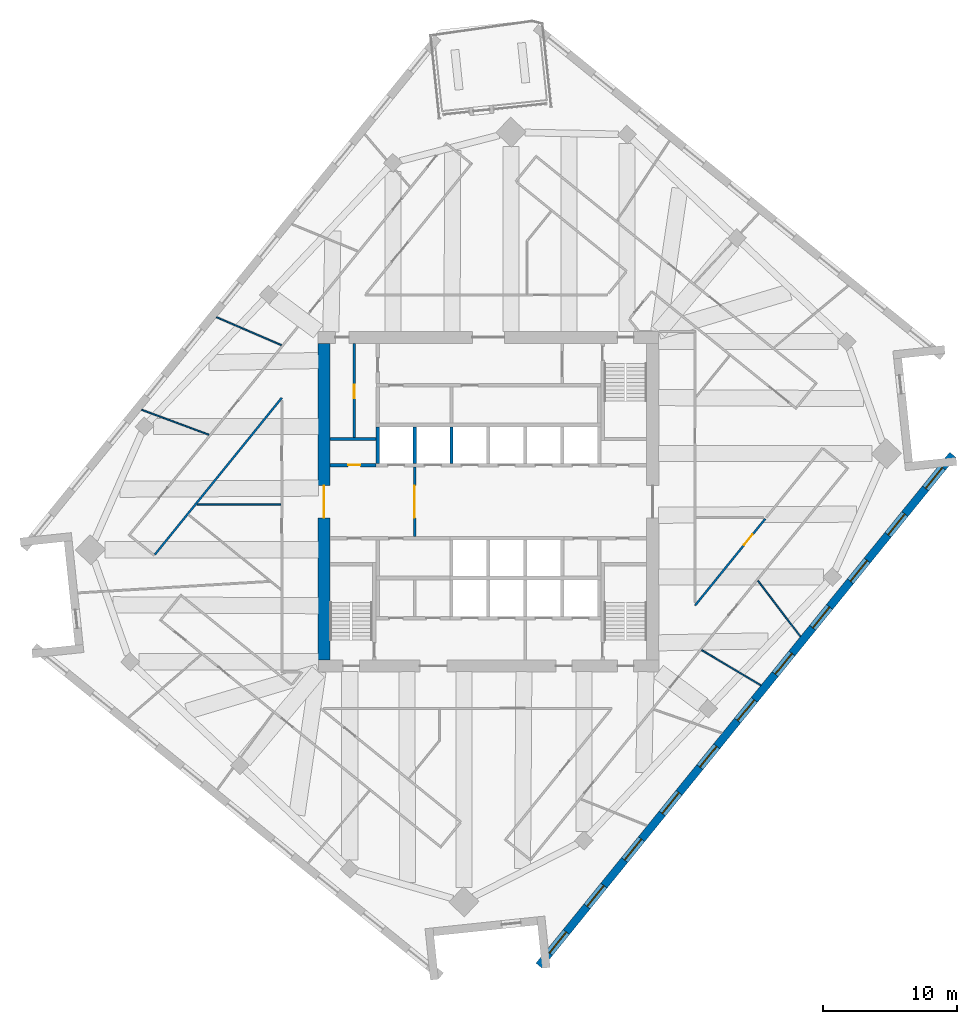
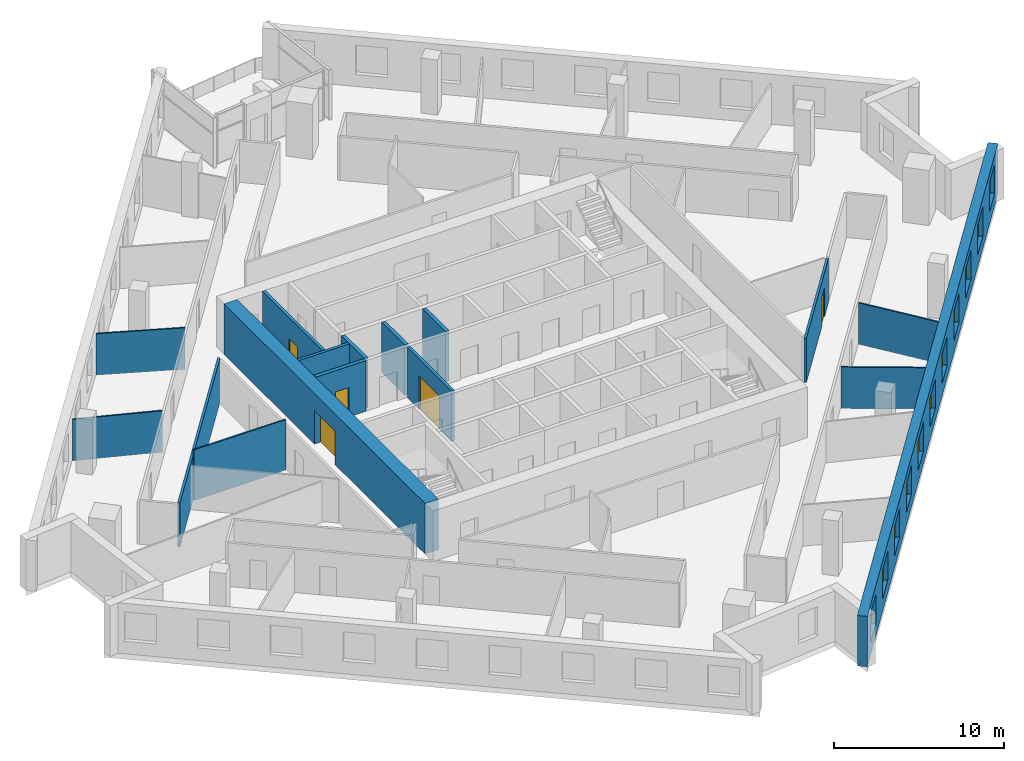
# One storey, part 9 of 14: 16 walls, 11 windows, 5 doors, 16 openings.
"""IFC4 building model written with IfcOpenShell, lengths in metres."""

from ifc_helpers import new_model, si_unit, direction, frame, frame_2d, origin, place, context, subcontext, project, spatial, rectangle, extrude, material, layer, layer_set, type_object, element, fill, save


model = new_model("IFC4")

# Units and contexts
model_context = context("Model", 3, precision=1e-05, world=origin(), true_north=direction((0.0, 1.0)))
body_context = subcontext(model_context, "Body", "Model", "MODEL_VIEW")
ifc_project = project(units=[si_unit("LENGTHUNIT", "METRE"), si_unit("AREAUNIT", "SQUARE_METRE"), si_unit("VOLUMEUNIT", "CUBIC_METRE"), si_unit("PLANEANGLEUNIT", "RADIAN"), si_unit("MASSUNIT", "GRAM", prefix="KILO")], contexts=[model_context])

# Site, building, storey
site_placement = place(None, origin())
site = spatial("IfcSite", under=ifc_project, at=site_placement, CompositionType="ELEMENT")
building_placement = place(site_placement, origin())
building = spatial("IfcBuilding", under=site, at=building_placement, Name="Dilmun Exchange Tower", CompositionType="ELEMENT")
storey_placement = place(building_placement, frame((0.0, 0.0, 225.300048828125)))
storey = spatial("IfcBuildingStorey", under=building, at=storey_placement, Name="L53", CompositionType="ELEMENT", Elevation=225.300048828125)

# Wall, opening, door
ifc_material_1 = material(Name="Concrete C40/50", Category="concrete")
ifc_layer_1 = layer(ifc_material_1, 0.199951171875)
ifc_layer_set_1 = layer_set([ifc_layer_1], Name="Concrete C40/50")
wall_type_1 = type_object("IfcWallType", Name="Core partition wall 200", PredefinedType="PARTITIONING", material=ifc_layer_set_1)
wall_1_placement = place(storey_placement, frame((-5.5, -2.594970703125, 0.0), z_axis=(0.0, 0.0, 1.0), x_axis=(0.0, 1.0, 0.0)))
wall_1 = element("IfcWall", 1, at=wall_1_placement, inside=storey, type_object=wall_type_1, Name="L53 core partition wall 10", PredefinedType="PARTITIONING", context=body_context, shape_type="SweptSolid", body=[
    extrude(rectangle(XDim=5.18994140625, YDim=0.199951171875, at=frame_2d((2.594970703125, 0.0))), origin(), (0.0, 0.0, 1.0), 3.619873046875),
])
opening_1_placement = place(wall_1_placement, frame((1.39501953125, 0.0, 0.0)))
opening_1 = element("IfcOpeningElement", 2, at=opening_1_placement, cuts=wall_1, Name="Opening CD1", PredefinedType="OPENING", context=body_context, shape_type="SweptSolid", body=[
    extrude(rectangle(XDim=2.39990234375, YDim=2.39990234375, at=frame_2d((1.199951171875, 1.199951171875))), frame((0.0, 0.10986328125, 0.0), z_axis=(0.0, -1.0, 0.0), x_axis=(1.0, 0.0, 0.0)), (0.0, 0.0, 1.0), 0.219970703125),
])
ifc_material_2 = material(Name="Fire-rated steel door set", Category="steel")
door_type_1 = type_object("IfcDoorType", Name="Core lobby door 2400x2400", OperationType="DOUBLE_DOOR_DOUBLE_SWING", PredefinedType="DOOR", material=ifc_material_2)
door_1_placement = place(opening_1_placement, origin())
door_1 = element("IfcDoor", 3, at=door_1_placement, inside=storey, type_object=door_type_1, Name="L53 door Lift lobby east", OperationType="DOUBLE_DOOR_DOUBLE_SWING", OverallHeight=2.39990234375, OverallWidth=2.39990234375, PredefinedType="DOOR", context=body_context, shape_type="SweptSolid", body=[
    extrude(rectangle(XDim=2.39990234375, YDim=2.39990234375, at=frame_2d((1.199951171875, 1.199951171875))), frame((0.0, 0.02490234375, 0.0), z_axis=(0.0, -1.0, 0.0), x_axis=(1.0, 0.0, 0.0)), (0.0, 0.0, 1.0), 0.050048828125),
])
fill(opening_1, door_1)

# Wall
wall_2_placement = place(storey_placement, frame((-11.794921875, 4.675048828125, 0.0), z_axis=(0.0, 0.0, 1.0), x_axis=(1.0, 0.0, 0.0)))
element("IfcWall", 4, at=wall_2_placement, inside=storey, type_object=wall_type_1, Name="L53 core partition wall 13", PredefinedType="PARTITIONING", context=body_context, shape_type="SweptSolid", body=[
    extrude(rectangle(XDim=3.4150390625, YDim=0.199951171875, at=frame_2d((1.70751953125, 0.0))), origin(), (0.0, 0.0, 1.0), 3.619873046875),
])

# Wall, opening, door
wall_3_placement = place(storey_placement, frame((-10.0, 4.780029296875, 0.0), z_axis=(0.0, 0.0, 1.0), x_axis=(0.0, 1.0, 0.0)))
wall_3 = element("IfcWall", 5, at=wall_3_placement, inside=storey, type_object=wall_type_1, Name="L53 core partition wall 14", PredefinedType="PARTITIONING", context=body_context, shape_type="SweptSolid", body=[
    extrude(rectangle(XDim=7.014892578125, YDim=0.199951171875, at=frame_2d((3.50732421875, 0.0))), origin(), (0.0, 0.0, 1.0), 3.619873046875),
])
opening_2_placement = place(wall_3_placement, frame((2.919921875, 0.0, 0.0)))
opening_2 = element("IfcOpeningElement", 6, at=opening_2_placement, cuts=wall_3, Name="Opening CD4", PredefinedType="OPENING", context=body_context, shape_type="SweptSolid", body=[
    extrude(rectangle(XDim=1.0, YDim=2.10009765625, at=frame_2d((0.5, 1.050048828125))), frame((0.0, 0.10986328125, 0.0), z_axis=(0.0, -1.0, 0.0), x_axis=(1.0, 0.0, 0.0)), (0.0, 0.0, 1.0), 0.219970703125),
])
door_type_2 = type_object("IfcDoorType", Name="Core room door 1000x2100", OperationType="SINGLE_SWING_LEFT", PredefinedType="DOOR", material=ifc_material_2)
door_2_placement = place(opening_2_placement, origin())
door_2 = element("IfcDoor", 7, at=door_2_placement, inside=storey, type_object=door_type_2, Name="L53 door Comms room", OperationType="SINGLE_SWING_RIGHT", OverallHeight=2.10009765625, OverallWidth=1.0, PredefinedType="DOOR", context=body_context, shape_type="SweptSolid", body=[
    extrude(rectangle(XDim=1.0, YDim=2.10009765625, at=frame_2d((0.5, 1.050048828125))), frame((0.0, 0.02490234375, 0.0), z_axis=(0.0, -1.0, 0.0), x_axis=(1.0, 0.0, 0.0)), (0.0, 0.0, 1.0), 0.050048828125),
])
fill(opening_2, door_2)

ifc_layer_2 = layer(ifc_material_1, 0.25)
ifc_layer_set_2 = layer_set([ifc_layer_2], Name="Concrete C40/50")
wall_type_2 = type_object("IfcWallType", Name="Core partition wall 250", PredefinedType="PARTITIONING", material=ifc_layer_set_2)
wall_4_placement = place(storey_placement, frame((-11.794921875, 2.72509765625, 0.0), z_axis=(0.0, 0.0, 1.0), x_axis=(1.0, 0.0, 0.0)))
wall_4 = element("IfcWall", 8, at=wall_4_placement, inside=storey, type_object=wall_type_2, Name="L53 core partition wall 11", PredefinedType="PARTITIONING", context=body_context, shape_type="SweptSolid", body=[
    extrude(rectangle(XDim=3.4150390625, YDim=0.25, at=frame_2d((1.70751953125, 0.0))), origin(), (0.0, 0.0, 1.0), 3.619873046875),
])
opening_3_placement = place(wall_4_placement, frame((1.344970703125, 0.0, 0.0)))
opening_3 = element("IfcOpeningElement", 9, at=opening_3_placement, cuts=wall_4, Name="Opening CD6", PredefinedType="OPENING", context=body_context, shape_type="SweptSolid", body=[
    extrude(rectangle(XDim=0.89990234375, YDim=2.10009765625, at=frame_2d((0.449951171875, 1.050048828125))), frame((0.0, 0.135009765625, 0.0), z_axis=(0.0, -1.0, 0.0), x_axis=(1.0, 0.0, 0.0)), (0.0, 0.0, 1.0), 0.27001953125),
])
door_type_3 = type_object("IfcDoorType", Name="Core room door 900x2100", OperationType="SINGLE_SWING_LEFT", PredefinedType="DOOR", material=ifc_material_2)
door_3_placement = place(opening_3_placement, origin())
door_3 = element("IfcDoor", 10, at=door_3_placement, inside=storey, type_object=door_type_3, Name="L53 door Plumbing riser", OperationType="SINGLE_SWING_RIGHT", OverallHeight=2.10009765625, OverallWidth=0.89990234375, PredefinedType="DOOR", context=body_context, shape_type="SweptSolid", body=[
    extrude(rectangle(XDim=0.89990234375, YDim=2.10009765625, at=frame_2d((0.449951171875, 1.050048828125))), frame((0.0, 0.02490234375, 0.0), z_axis=(0.0, -1.0, 0.0), x_axis=(1.0, 0.0, 0.0)), (0.0, 0.0, 1.0), 0.050048828125),
])
fill(opening_3, door_3)

ifc_material_3 = material(Name="Concrete C60/75", Category="concrete")
ifc_layer_3 = layer(ifc_material_3, 0.89990234375)
ifc_layer_set_3 = layer_set([ifc_layer_3], Name="Concrete C60/75")
wall_type_3 = type_object("IfcWallType", Name="Core shear wall 900 Concrete C60/75", PredefinedType="SHEAR", material=ifc_layer_set_3)
wall_5_placement = place(storey_placement, frame((-12.25, -11.800048828125, 0.0), z_axis=(0.0, 0.0, 1.0), x_axis=(0.0, 1.0, 0.0)))
wall_5 = element("IfcWall", 11, at=wall_5_placement, inside=storey, type_object=wall_type_3, Name="L53 core shear wall W", PredefinedType="SHEAR", context=body_context, shape_type="SweptSolid", body=[
    extrude(rectangle(XDim=23.60009765625, YDim=0.89990234375, at=frame_2d((11.800048828125, 0.0))), origin(), (0.0, 0.0, 1.0), 3.619873046875),
])
opening_4_placement = place(wall_5_placement, frame((10.60009765625, 0.0, 0.0)))
opening_4 = element("IfcOpeningElement", 12, at=opening_4_placement, cuts=wall_5, Name="Opening CD1", PredefinedType="OPENING", context=body_context, shape_type="SweptSolid", body=[
    extrude(rectangle(XDim=2.39990234375, YDim=2.39990234375, at=frame_2d((1.199951171875, 1.199951171875))), frame((0.0, 0.4599609375, 0.0), z_axis=(0.0, -1.0, 0.0), x_axis=(1.0, 0.0, 0.0)), (0.0, 0.0, 1.0), 0.919921875),
])
door_4_placement = place(opening_4_placement, origin())
door_4 = element("IfcDoor", 13, at=door_4_placement, inside=storey, type_object=door_type_1, Name="L53 door Central lift lobby", OperationType="SINGLE_SWING_LEFT", OverallHeight=2.39990234375, OverallWidth=2.39990234375, PredefinedType="DOOR", context=body_context, shape_type="SweptSolid", body=[
    extrude(rectangle(XDim=2.39990234375, YDim=2.39990234375, at=frame_2d((1.199951171875, 1.199951171875))), frame((0.0, 0.02490234375, 0.0), z_axis=(0.0, -1.0, 0.0), x_axis=(1.0, 0.0, 0.0)), (0.0, 0.0, 1.0), 0.050048828125),
])
fill(opening_4, door_4)

# Wall
ifc_material_4 = material(Name="Corridor wall 150")
ifc_layer_4 = layer(ifc_material_4, 0.14990234375)
ifc_layer_set_4 = layer_set([ifc_layer_4], Name="Corridor wall 150")
wall_type_4 = type_object("IfcWallType", Name="Corridor wall 150", PredefinedType="PARTITIONING", material=ifc_layer_set_4)
wall_6_placement = place(storey_placement, frame((-24.856689453125, -3.938720703125, 0.0), z_axis=(0.0, 0.0, 1.0), x_axis=(0.629334227899, 0.777134756393, 0.0)))
element("IfcWall", 14, at=wall_6_placement, inside=storey, type_object=wall_type_4, Name="Corridor wall", PredefinedType="PARTITIONING", context=body_context, shape_type="SweptSolid", body=[
    extrude(rectangle(XDim=15.026611328125, YDim=0.14990234375, at=frame_2d((7.51318359375, 0.0))), origin(), (0.0, 0.0, 1.0), 3.169921875),
])

# Wall, opening, door
wall_7_placement = place(storey_placement, frame((15.39990234375, -7.739013671875, 0.0), z_axis=(0.0, 0.0, 1.0), x_axis=(0.629348532184, 0.777123172373, 0.0)))
wall_7 = element("IfcWall", 15, at=wall_7_placement, inside=storey, type_object=wall_type_4, Name="Corridor wall", PredefinedType="PARTITIONING", context=body_context, shape_type="SweptSolid", body=[
    extrude(rectangle(XDim=8.316650390625, YDim=0.14990234375, at=frame_2d((4.158203125, 0.0))), origin(), (0.0, 0.0, 1.0), 3.169921875),
])
opening_5_placement = place(wall_7_placement, frame((5.800048828125, 0.0, 0.0)))
opening_5 = element("IfcOpeningElement", 16, at=opening_5_placement, cuts=wall_7, Name="Opening TF53-D20", PredefinedType="OPENING", context=body_context, shape_type="SweptSolid", body=[
    extrude(rectangle(XDim=1.0, YDim=2.10009765625, at=frame_2d((0.5, 1.050048828125))), frame((0.0, 0.0849609375, 0.0), z_axis=(0.0, -1.0, 0.0), x_axis=(1.0, 0.0, 0.0)), (0.0, 0.0, 1.0), 0.169921875),
])
ifc_material_5 = material(Name="Fire door 1000 x 2100")
door_type_4 = type_object("IfcDoorType", Name="Fire door 1000 x 2100", OperationType="NOTDEFINED", PredefinedType="DOOR", material=ifc_material_5)
door_5_placement = place(opening_5_placement, origin())
door_5 = element("IfcDoor", 17, at=door_5_placement, inside=storey, type_object=door_type_4, Name="Door TF53-D20", OperationType="SINGLE_SWING_RIGHT", OverallHeight=2.10009765625, OverallWidth=1.0, PredefinedType="DOOR", context=body_context, shape_type="SweptSolid", body=[
    extrude(rectangle(XDim=1.0, YDim=2.10009765625, at=frame_2d((0.5, 1.050048828125))), frame((0.0, 0.02490234375, 0.0), z_axis=(0.0, -1.0, 0.0), x_axis=(1.0, 0.0, 0.0)), (0.0, 0.0, 1.0), 0.050048828125),
])
fill(opening_5, door_5)

# Walls
ifc_layer_5 = layer(ifc_material_1, 0.25)
ifc_layer_set_5 = layer_set([ifc_layer_5], Name="Concrete C40/50")
wall_type_5 = type_object("IfcWallType", Name="Lift shaft wall 250", PredefinedType="SOLIDWALL", material=ifc_layer_set_5)
for number, where, z_axis, x_axis, name in (
    (18, (-8.25, 2.85009765625, 0.0), (0.0, 0.0, 1.0), (0.0, 1.0, 0.0), "L53 lift shaft divider N10"),
    (19, (-5.5, 2.85009765625, 0.0), (0.0, 0.0, 1.0), (0.0, 1.0, 0.0), "L53 lift shaft divider N11"),
    (20, (-2.75, 2.85009765625, 0.0), (0.0, 0.0, 1.0), (0.0, 1.0, 0.0), "L53 lift shaft divider N12"),
):
    element("IfcWall", number, at=place(storey_placement, frame(where, z_axis=z_axis, x_axis=x_axis)), inside=storey, type_object=wall_type_5, Name=name, PredefinedType="SOLIDWALL", context=body_context, shape_type="SweptSolid", body=[
        extrude(rectangle(XDim=2.699951171875, YDim=0.25, at=frame_2d((1.35009765625, 0.0))), origin(), (0.0, 0.0, 1.0), 3.619873046875),
    ])
ifc_material_6 = material(Name="Partition 100")
ifc_layer_6 = layer(ifc_material_6, 0.10009765625)
ifc_layer_set_6 = layer_set([ifc_layer_6], Name="Partition 100")
wall_type_6 = type_object("IfcWallType", Name="Partition 100", PredefinedType="PARTITIONING", material=ifc_layer_set_6)
wall_8_placement = place(storey_placement, frame((-25.8447265625, 6.853515625, 0.0), z_axis=(0.0, 0.0, 1.0), x_axis=(0.937152085017, -0.348921150905, 0.0)))
element("IfcWall", 21, at=wall_8_placement, inside=storey, type_object=wall_type_6, Name="Partition", PredefinedType="PARTITIONING", context=body_context, shape_type="SweptSolid", body=[
    extrude(rectangle(XDim=5.347900390625, YDim=0.10009765625, at=frame_2d((2.673828125, 0.0))), origin(), (0.0, 0.0, 1.0), 2.969970703125),
])
wall_9_placement = place(storey_placement, frame((-21.705078125, -0.216064453125, 0.0), z_axis=(0.0, 0.0, 1.0), x_axis=(1.0, 0.0, 0.0)))
element("IfcWall", 22, at=wall_9_placement, inside=storey, type_object=wall_type_6, Name="Partition", PredefinedType="PARTITIONING", context=body_context, shape_type="SweptSolid", body=[
    extrude(rectangle(XDim=6.22998046875, YDim=0.10009765625, at=frame_2d((3.114990234375, 0.0))), origin(), (0.0, 0.0, 1.0), 3.619873046875),
])
wall_10_placement = place(storey_placement, frame((-20.2587890625, 13.751220703125, 0.0), z_axis=(0.0, 0.0, 1.0), x_axis=(0.918139792182, -0.396256636553, 0.0)))
element("IfcWall", 23, at=wall_10_placement, inside=storey, type_object=wall_type_6, Name="Partition", PredefinedType="PARTITIONING", context=body_context, shape_type="SweptSolid", body=[
    extrude(rectangle(XDim=5.2666015625, YDim=0.10009765625, at=frame_2d((2.63330078125, 0.0))), origin(), (0.0, 0.0, 1.0), 2.969970703125),
])
wall_11_placement = place(storey_placement, frame((15.900390625, -11.064453125, 0.0), z_axis=(0.0, 0.0, 1.0), x_axis=(0.859280435997, -0.511504772522, 0.0)))
element("IfcWall", 24, at=wall_11_placement, inside=storey, type_object=wall_type_6, Name="Partition", PredefinedType="PARTITIONING", context=body_context, shape_type="SweptSolid", body=[
    extrude(rectangle(XDim=5.130859375, YDim=0.10009765625, at=frame_2d((2.5654296875, 0.0))), origin(), (0.0, 0.0, 1.0), 2.969970703125),
])
wall_12_placement = place(storey_placement, frame((20.09326171875, -5.89501953125, 0.0), z_axis=(0.0, 0.0, 1.0), x_axis=(0.605640268949, -0.795738565502, 0.0)))
element("IfcWall", 25, at=wall_12_placement, inside=storey, type_object=wall_type_6, Name="Partition", PredefinedType="PARTITIONING", context=body_context, shape_type="SweptSolid", body=[
    extrude(rectangle(XDim=5.221923828125, YDim=0.10009765625, at=frame_2d((2.61083984375, 0.0))), origin(), (0.0, 0.0, 1.0), 2.969970703125),
])

# Wall, openings, windows
ifc_material_7 = material(Name="Precast concrete C50/60", Category="concrete")
ifc_layer_7 = layer(ifc_material_7, 0.60009765625)
ifc_layer_set_7 = layer_set([ifc_layer_7], Name="Precast concrete C50/60")
wall_type_7 = type_object("IfcWallType", Name="Precast stone-clad wall 600", PredefinedType="STANDARD", material=ifc_layer_set_7)
wall_13_placement = place(storey_placement, frame((3.777099609375, -34.584228515625, 0.0), z_axis=(0.0, 0.0, 1.0), x_axis=(0.629323778295, 0.777143218508, 0.0)))
wall_13 = element("IfcWall", 26, at=wall_13_placement, inside=storey, type_object=wall_type_7, Name="Facade wall L53-11", PredefinedType="STANDARD", context=body_context, shape_type="SweptSolid", body=[
    extrude(rectangle(XDim=49.0, YDim=0.60009765625, at=frame_2d((24.5, 0.0))), origin(), (0.0, 0.0, 1.0), 3.619873046875),
])
opening_6_placement = place(wall_13_placement, frame((1.227294921875, 0.0, 0.89990234375)))
opening_6 = element("IfcOpeningElement", 27, at=opening_6_placement, cuts=wall_13, Name="Opening W200-210", PredefinedType="OPENING", context=body_context, shape_type="SweptSolid", body=[
    extrude(rectangle(XDim=2.0, YDim=2.10009765625, at=frame_2d((1.0, 1.050048828125))), frame((0.0, 0.31005859375, 0.0), z_axis=(0.0, -1.0, 0.0), x_axis=(1.0, 0.0, 0.0)), (0.0, 0.0, 1.0), 0.6201171875),
])
opening_7_placement = place(wall_13_placement, frame((5.681884765625, 0.0, 0.89990234375)))
opening_7 = element("IfcOpeningElement", 28, at=opening_7_placement, cuts=wall_13, Name="Opening W200-210", PredefinedType="OPENING", context=body_context, shape_type="SweptSolid", body=[
    extrude(rectangle(XDim=2.0, YDim=2.10009765625, at=frame_2d((1.0, 1.050048828125))), frame((0.0, 0.31005859375, 0.0), z_axis=(0.0, -1.0, 0.0), x_axis=(1.0, 0.0, 0.0)), (0.0, 0.0, 1.0), 0.6201171875),
])
opening_8_placement = place(wall_13_placement, frame((10.136474609375, 0.0, 0.89990234375)))
opening_8 = element("IfcOpeningElement", 29, at=opening_8_placement, cuts=wall_13, Name="Opening W200-210", PredefinedType="OPENING", context=body_context, shape_type="SweptSolid", body=[
    extrude(rectangle(XDim=2.0, YDim=2.10009765625, at=frame_2d((1.0, 1.050048828125))), frame((0.0, 0.31005859375, 0.0), z_axis=(0.0, -1.0, 0.0), x_axis=(1.0, 0.0, 0.0)), (0.0, 0.0, 1.0), 0.6201171875),
])
opening_9_placement = place(wall_13_placement, frame((14.5908203125, 0.0, 0.89990234375)))
opening_9 = element("IfcOpeningElement", 30, at=opening_9_placement, cuts=wall_13, Name="Opening W200-210", PredefinedType="OPENING", context=body_context, shape_type="SweptSolid", body=[
    extrude(rectangle(XDim=2.0, YDim=2.10009765625, at=frame_2d((1.0, 1.050048828125))), frame((0.0, 0.31005859375, 0.0), z_axis=(0.0, -1.0, 0.0), x_axis=(1.0, 0.0, 0.0)), (0.0, 0.0, 1.0), 0.6201171875),
])
opening_10_placement = place(wall_13_placement, frame((19.04541015625, 0.0, 0.89990234375)))
opening_10 = element("IfcOpeningElement", 31, at=opening_10_placement, cuts=wall_13, Name="Opening W200-210", PredefinedType="OPENING", context=body_context, shape_type="SweptSolid", body=[
    extrude(rectangle(XDim=2.0, YDim=2.10009765625, at=frame_2d((1.0, 1.050048828125))), frame((0.0, 0.31005859375, 0.0), z_axis=(0.0, -1.0, 0.0), x_axis=(1.0, 0.0, 0.0)), (0.0, 0.0, 1.0), 0.6201171875),
])
opening_11_placement = place(wall_13_placement, frame((23.5, 0.0, 0.89990234375)))
opening_11 = element("IfcOpeningElement", 32, at=opening_11_placement, cuts=wall_13, Name="Opening W200-210", PredefinedType="OPENING", context=body_context, shape_type="SweptSolid", body=[
    extrude(rectangle(XDim=2.0, YDim=2.10009765625, at=frame_2d((1.0, 1.050048828125))), frame((0.0, 0.31005859375, 0.0), z_axis=(0.0, -1.0, 0.0), x_axis=(1.0, 0.0, 0.0)), (0.0, 0.0, 1.0), 0.6201171875),
])
opening_12_placement = place(wall_13_placement, frame((27.95458984375, 0.0, 0.89990234375)))
opening_12 = element("IfcOpeningElement", 33, at=opening_12_placement, cuts=wall_13, Name="Opening W200-210", PredefinedType="OPENING", context=body_context, shape_type="SweptSolid", body=[
    extrude(rectangle(XDim=2.0, YDim=2.10009765625, at=frame_2d((1.0, 1.050048828125))), frame((0.0, 0.31005859375, 0.0), z_axis=(0.0, -1.0, 0.0), x_axis=(1.0, 0.0, 0.0)), (0.0, 0.0, 1.0), 0.6201171875),
])
opening_13_placement = place(wall_13_placement, frame((32.4091796875, 0.0, 0.89990234375)))
opening_13 = element("IfcOpeningElement", 34, at=opening_13_placement, cuts=wall_13, Name="Opening W200-210", PredefinedType="OPENING", context=body_context, shape_type="SweptSolid", body=[
    extrude(rectangle(XDim=2.0, YDim=2.10009765625, at=frame_2d((1.0, 1.050048828125))), frame((0.0, 0.31005859375, 0.0), z_axis=(0.0, -1.0, 0.0), x_axis=(1.0, 0.0, 0.0)), (0.0, 0.0, 1.0), 0.6201171875),
])
opening_14_placement = place(wall_13_placement, frame((36.863525390625, 0.0, 0.89990234375)))
opening_14 = element("IfcOpeningElement", 35, at=opening_14_placement, cuts=wall_13, Name="Opening W200-210", PredefinedType="OPENING", context=body_context, shape_type="SweptSolid", body=[
    extrude(rectangle(XDim=2.0, YDim=2.10009765625, at=frame_2d((1.0, 1.050048828125))), frame((0.0, 0.31005859375, 0.0), z_axis=(0.0, -1.0, 0.0), x_axis=(1.0, 0.0, 0.0)), (0.0, 0.0, 1.0), 0.6201171875),
])
opening_15_placement = place(wall_13_placement, frame((41.318115234375, 0.0, 0.89990234375)))
opening_15 = element("IfcOpeningElement", 36, at=opening_15_placement, cuts=wall_13, Name="Opening W200-210", PredefinedType="OPENING", context=body_context, shape_type="SweptSolid", body=[
    extrude(rectangle(XDim=2.0, YDim=2.10009765625, at=frame_2d((1.0, 1.050048828125))), frame((0.0, 0.31005859375, 0.0), z_axis=(0.0, -1.0, 0.0), x_axis=(1.0, 0.0, 0.0)), (0.0, 0.0, 1.0), 0.6201171875),
])
opening_16_placement = place(wall_13_placement, frame((45.772705078125, 0.0, 0.89990234375)))
opening_16 = element("IfcOpeningElement", 37, at=opening_16_placement, cuts=wall_13, Name="Opening W200-210", PredefinedType="OPENING", context=body_context, shape_type="SweptSolid", body=[
    extrude(rectangle(XDim=2.0, YDim=2.10009765625, at=frame_2d((1.0, 1.050048828125))), frame((0.0, 0.31005859375, 0.0), z_axis=(0.0, -1.0, 0.0), x_axis=(1.0, 0.0, 0.0)), (0.0, 0.0, 1.0), 0.6201171875),
])
ifc_material_8 = material(Name="Clear low-emissivity glass in aluminium frame", Category="aluminium")
window_type = type_object("IfcWindowType", Name="Punched window 2000 x 2100", PartitioningType="DOUBLE_PANEL_VERTICAL", PredefinedType="WINDOW", material=ifc_material_8)
window_1_placement = place(opening_6_placement, origin())
window_1 = element("IfcWindow", 38, at=window_1_placement, inside=storey, type_object=window_type, Name="Window 12.1", OverallHeight=2.10009765625, OverallWidth=2.0, PartitioningType="SINGLE_PANEL", PredefinedType="WINDOW", context=body_context, shape_type="SweptSolid", body=[
    extrude(rectangle(XDim=2.0, YDim=2.10009765625, at=frame_2d((1.0, 1.050048828125))), frame((0.0, 0.030029296875, 0.0), z_axis=(0.0, -1.0, 0.0), x_axis=(1.0, 0.0, 0.0)), (0.0, 0.0, 1.0), 0.06005859375),
])
fill(opening_6, window_1)
window_2_placement = place(opening_7_placement, origin())
window_2 = element("IfcWindow", 39, at=window_2_placement, inside=storey, type_object=window_type, Name="Window 12.2", OverallHeight=2.10009765625, OverallWidth=2.0, PartitioningType="SINGLE_PANEL", PredefinedType="WINDOW", context=body_context, shape_type="SweptSolid", body=[
    extrude(rectangle(XDim=2.0, YDim=2.10009765625, at=frame_2d((1.0, 1.050048828125))), frame((0.0, 0.030029296875, 0.0), z_axis=(0.0, -1.0, 0.0), x_axis=(1.0, 0.0, 0.0)), (0.0, 0.0, 1.0), 0.06005859375),
])
fill(opening_7, window_2)
window_3_placement = place(opening_8_placement, origin())
window_3 = element("IfcWindow", 40, at=window_3_placement, inside=storey, type_object=window_type, Name="Window 12.3", OverallHeight=2.10009765625, OverallWidth=2.0, PartitioningType="SINGLE_PANEL", PredefinedType="WINDOW", context=body_context, shape_type="SweptSolid", body=[
    extrude(rectangle(XDim=2.0, YDim=2.10009765625, at=frame_2d((1.0, 1.050048828125))), frame((0.0, 0.030029296875, 0.0), z_axis=(0.0, -1.0, 0.0), x_axis=(1.0, 0.0, 0.0)), (0.0, 0.0, 1.0), 0.06005859375),
])
fill(opening_8, window_3)
window_4_placement = place(opening_9_placement, origin())
window_4 = element("IfcWindow", 41, at=window_4_placement, inside=storey, type_object=window_type, Name="Window 12.4", OverallHeight=2.10009765625, OverallWidth=2.0, PartitioningType="SINGLE_PANEL", PredefinedType="WINDOW", context=body_context, shape_type="SweptSolid", body=[
    extrude(rectangle(XDim=2.0, YDim=2.10009765625, at=frame_2d((1.0, 1.050048828125))), frame((0.0, 0.030029296875, 0.0), z_axis=(0.0, -1.0, 0.0), x_axis=(1.0, 0.0, 0.0)), (0.0, 0.0, 1.0), 0.06005859375),
])
fill(opening_9, window_4)
window_5_placement = place(opening_10_placement, origin())
window_5 = element("IfcWindow", 42, at=window_5_placement, inside=storey, type_object=window_type, Name="Window 12.5", OverallHeight=2.10009765625, OverallWidth=2.0, PartitioningType="SINGLE_PANEL", PredefinedType="WINDOW", context=body_context, shape_type="SweptSolid", body=[
    extrude(rectangle(XDim=2.0, YDim=2.10009765625, at=frame_2d((1.0, 1.050048828125))), frame((0.0, 0.030029296875, 0.0), z_axis=(0.0, -1.0, 0.0), x_axis=(1.0, 0.0, 0.0)), (0.0, 0.0, 1.0), 0.06005859375),
])
fill(opening_10, window_5)
window_6_placement = place(opening_11_placement, origin())
window_6 = element("IfcWindow", 43, at=window_6_placement, inside=storey, type_object=window_type, Name="Window 12.6", OverallHeight=2.10009765625, OverallWidth=2.0, PartitioningType="SINGLE_PANEL", PredefinedType="WINDOW", context=body_context, shape_type="SweptSolid", body=[
    extrude(rectangle(XDim=2.0, YDim=2.10009765625, at=frame_2d((1.0, 1.050048828125))), frame((0.0, 0.030029296875, 0.0), z_axis=(0.0, -1.0, 0.0), x_axis=(1.0, 0.0, 0.0)), (0.0, 0.0, 1.0), 0.06005859375),
])
fill(opening_11, window_6)
window_7_placement = place(opening_12_placement, origin())
window_7 = element("IfcWindow", 44, at=window_7_placement, inside=storey, type_object=window_type, Name="Window 12.7", OverallHeight=2.10009765625, OverallWidth=2.0, PartitioningType="SINGLE_PANEL", PredefinedType="WINDOW", context=body_context, shape_type="SweptSolid", body=[
    extrude(rectangle(XDim=2.0, YDim=2.10009765625, at=frame_2d((1.0, 1.050048828125))), frame((0.0, 0.030029296875, 0.0), z_axis=(0.0, -1.0, 0.0), x_axis=(1.0, 0.0, 0.0)), (0.0, 0.0, 1.0), 0.06005859375),
])
fill(opening_12, window_7)
window_8_placement = place(opening_13_placement, origin())
window_8 = element("IfcWindow", 45, at=window_8_placement, inside=storey, type_object=window_type, Name="Window 12.8", OverallHeight=2.10009765625, OverallWidth=2.0, PartitioningType="SINGLE_PANEL", PredefinedType="WINDOW", context=body_context, shape_type="SweptSolid", body=[
    extrude(rectangle(XDim=2.0, YDim=2.10009765625, at=frame_2d((1.0, 1.050048828125))), frame((0.0, 0.030029296875, 0.0), z_axis=(0.0, -1.0, 0.0), x_axis=(1.0, 0.0, 0.0)), (0.0, 0.0, 1.0), 0.06005859375),
])
fill(opening_13, window_8)
window_9_placement = place(opening_14_placement, origin())
window_9 = element("IfcWindow", 46, at=window_9_placement, inside=storey, type_object=window_type, Name="Window 12.9", OverallHeight=2.10009765625, OverallWidth=2.0, PartitioningType="SINGLE_PANEL", PredefinedType="WINDOW", context=body_context, shape_type="SweptSolid", body=[
    extrude(rectangle(XDim=2.0, YDim=2.10009765625, at=frame_2d((1.0, 1.050048828125))), frame((0.0, 0.030029296875, 0.0), z_axis=(0.0, -1.0, 0.0), x_axis=(1.0, 0.0, 0.0)), (0.0, 0.0, 1.0), 0.06005859375),
])
fill(opening_14, window_9)
window_10_placement = place(opening_15_placement, origin())
window_10 = element("IfcWindow", 47, at=window_10_placement, inside=storey, type_object=window_type, Name="Window 12.10", OverallHeight=2.10009765625, OverallWidth=2.0, PartitioningType="SINGLE_PANEL", PredefinedType="WINDOW", context=body_context, shape_type="SweptSolid", body=[
    extrude(rectangle(XDim=2.0, YDim=2.10009765625, at=frame_2d((1.0, 1.050048828125))), frame((0.0, 0.030029296875, 0.0), z_axis=(0.0, -1.0, 0.0), x_axis=(1.0, 0.0, 0.0)), (0.0, 0.0, 1.0), 0.06005859375),
])
fill(opening_15, window_10)
window_11_placement = place(opening_16_placement, origin())
window_11 = element("IfcWindow", 48, at=window_11_placement, inside=storey, type_object=window_type, Name="Window 12.11", OverallHeight=2.10009765625, OverallWidth=2.0, PartitioningType="SINGLE_PANEL", PredefinedType="WINDOW", context=body_context, shape_type="SweptSolid", body=[
    extrude(rectangle(XDim=2.0, YDim=2.10009765625, at=frame_2d((1.0, 1.050048828125))), frame((0.0, 0.030029296875, 0.0), z_axis=(0.0, -1.0, 0.0), x_axis=(1.0, 0.0, 0.0)), (0.0, 0.0, 1.0), 0.06005859375),
])
fill(opening_16, window_11)

save(model, "model.ifc")
